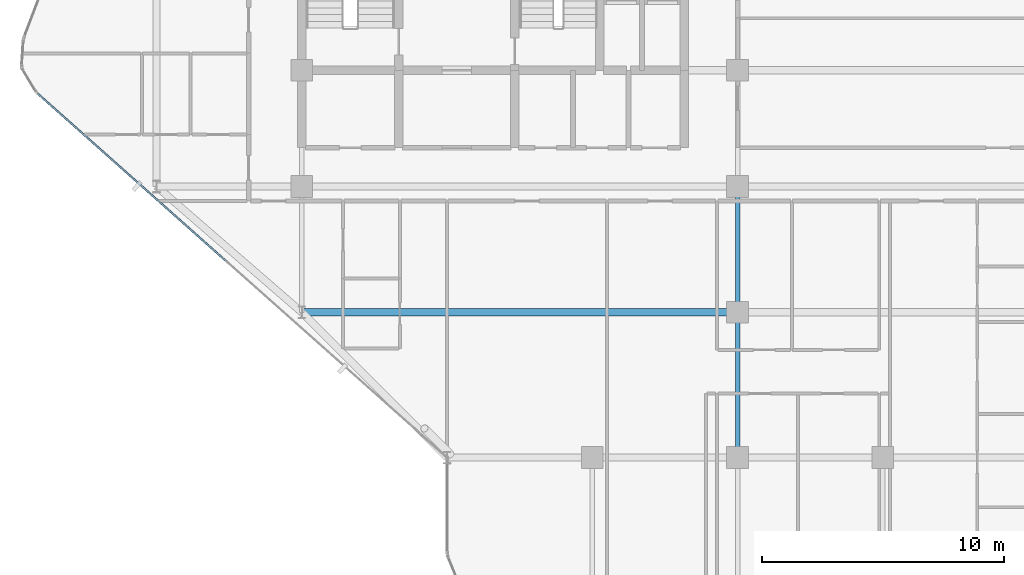
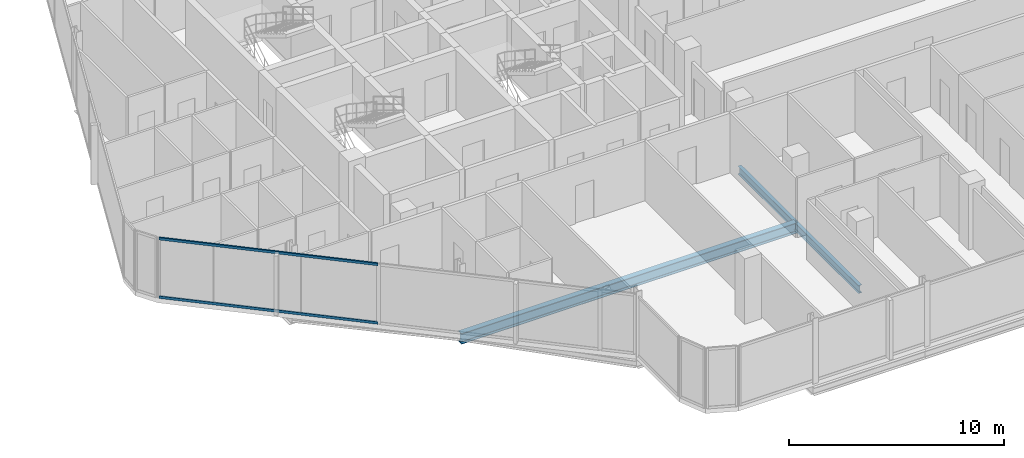
# One storey, part 6 of 31: 3 beams, 2 members, 1 element without a shape of its own.
"""IFC4 building model written with IfcOpenShell, lengths in metres."""

from ifc_helpers import new_model, si_unit, direction, frame, origin, origin_2d, place, context, subcontext, project, spatial, hollow_rectangle, i_section, extrude, material, layer, layer_set, material_profile, profile_set, type_object, element, aggregate, save


model = new_model("IFC4")

# Units and contexts
model_context = context("Model", 3, precision=1e-05, world=origin(), true_north=direction((0.0, 1.0)))
body_context = subcontext(model_context, "Body", "Model", "MODEL_VIEW")
ifc_project = project(units=[si_unit("LENGTHUNIT", "METRE"), si_unit("AREAUNIT", "SQUARE_METRE"), si_unit("VOLUMEUNIT", "CUBIC_METRE"), si_unit("PLANEANGLEUNIT", "RADIAN"), si_unit("MASSUNIT", "GRAM", prefix="KILO")], contexts=[model_context])

# Site, building, storey
site_placement = place(None, origin())
site = spatial("IfcSite", under=ifc_project, at=site_placement, CompositionType="ELEMENT")
building_placement = place(site_placement, origin())
building = spatial("IfcBuilding", under=site, at=building_placement, Name="Keshet Zoharim Tower", CompositionType="ELEMENT")
storey_placement = place(building_placement, frame((0.0, 0.0, 133.5)))
storey = spatial("IfcBuildingStorey", under=building, at=storey_placement, Name="L32", CompositionType="ELEMENT", Elevation=133.5)

# Beams
ifc_material_1 = material(Name="Steel S355", Category="steel")
ifc_material_profile_1 = material_profile(ifc_material_1, i_section(OverallWidth=0.300048828125, OverallDepth=0.60009765625, WebThickness=0.015380859375, FlangeThickness=0.030029296875, FilletRadius=0.027099609375, at=origin_2d()), Name="HEB600")
ifc_profile_set_1 = profile_set([ifc_material_profile_1], Name="Steel S355")
beam_type_1 = type_object("IfcBeamType", Name="BM-LNG-HB600", PredefinedType="BEAM", material=ifc_profile_set_1)
beam_1_placement = place(storey_placement, frame((15.0, 12.699951171875, -0.614990234375), z_axis=(1.0, 0.0, 0.0), x_axis=(0.0, 1.0, 0.0)))
element("IfcBeam", 1, at=beam_1_placement, inside=storey, type_object=beam_type_1, Name="L32 Primary Girder X-009", PredefinedType="BEAM", context=body_context, shape_type="SweptSolid", body=[
    extrude(i_section(OverallWidth=0.300048828125, OverallDepth=0.60009765625, WebThickness=0.015380859375, FlangeThickness=0.030029296875, FilletRadius=0.027099609375, at=origin_2d()), origin(), (0.0, 0.0, 1.0), 18.0),
])
ifc_material_profile_2 = material_profile(ifc_material_1, i_section(OverallWidth=0.18994140625, OverallDepth=0.449951171875, WebThickness=0.009521484375, FlangeThickness=0.0146484375, FilletRadius=0.02099609375, at=origin_2d()), Name="IPE450")
ifc_profile_set_2 = profile_set([ifc_material_profile_2], Name="Steel S355")
beam_type_2 = type_object("IfcBeamType", Name="BM-PRI-IP450", PredefinedType="BEAM", material=ifc_profile_set_2)
beam_2_placement = place(storey_placement, frame((33.0, 6.699951171875, -0.5400390625), z_axis=(0.0, 1.0, 0.0), x_axis=(-1.0, 0.0, 0.0)))
element("IfcBeam", 2, at=beam_2_placement, inside=storey, type_object=beam_type_2, Name="L32 Primary Girder Y-006", PredefinedType="BEAM", context=body_context, shape_type="SweptSolid", body=[
    extrude(i_section(OverallWidth=0.18994140625, OverallDepth=0.449951171875, WebThickness=0.009521484375, FlangeThickness=0.0146484375, FilletRadius=0.02099609375, at=origin_2d()), origin(), (0.0, 0.0, 1.0), 6.0),
])
beam_3_placement = place(storey_placement, frame((33.0, 12.699951171875, -0.5400390625), z_axis=(0.0, 1.0, 0.0), x_axis=(-1.0, 0.0, 0.0)))
element("IfcBeam", 3, at=beam_3_placement, inside=storey, type_object=beam_type_2, Name="L32 Primary Girder Y-007", PredefinedType="BEAM", context=body_context, shape_type="SweptSolid", body=[
    extrude(i_section(OverallWidth=0.18994140625, OverallDepth=0.449951171875, WebThickness=0.009521484375, FlangeThickness=0.0146484375, FilletRadius=0.02099609375, at=origin_2d()), origin(), (0.0, 0.0, 1.0), 5.199951171875),
])

# Curtain wall, members
ifc_material_2 = material(Name="Aluminium 6063-T6", Category="aluminium")
ifc_layer = layer(ifc_material_2, 0.159912109375)
ifc_layer_set = layer_set([ifc_layer], Name="Aluminium 6063-T6")
curtain_wall_type = type_object("IfcCurtainWallType", Name="CW-SYS-03", PredefinedType="NOTDEFINED", material=ifc_layer_set)
curtain_wall_placement = place(storey_placement, origin())
curtain_wall = element("IfcCurtainWall", 4, at=curtain_wall_placement, inside=storey, type_object=curtain_wall_type, Name="L32 Unitised Curtain Wall 07 Part 2", PredefinedType="NOTDEFINED")
ifc_material_profile_3 = material_profile(ifc_material_2, hollow_rectangle(XDim=0.080078125, YDim=0.139892578125, WallThickness=0.00390625, at=origin_2d()), Name="TRN-80x140")
ifc_profile_set_3 = profile_set([ifc_material_profile_3], Name="Aluminium 6063-T6")
member_type = type_object("IfcMemberType", Name="CWT-T14", PredefinedType="USERDEFINED", material=ifc_profile_set_3)
member_1_placement = place(storey_placement, frame((11.8388671875, 14.84326171875, 0.034912109375), z_axis=(-0.747411916254, 0.664360916552, 0.0), x_axis=(-0.664360916552, -0.747411916254, 0.0)))
member_1 = element("IfcMember", 5, at=member_1_placement, type_object=member_type, Name="CW-03 transom 2.1", ObjectType="TRANSOM", PredefinedType="USERDEFINED", context=body_context, shape_type="SweptSolid", body=[
    extrude(hollow_rectangle(XDim=0.080078125, YDim=0.139892578125, WallThickness=0.00390625, at=origin_2d()), origin(), (0.0, 0.0, 1.0), 10.37109375),
])
member_2_placement = place(storey_placement, frame((11.8388671875, 14.84326171875, 3.35009765625), z_axis=(-0.747411916254, 0.664360916552, 0.0), x_axis=(-0.664360916552, -0.747411916254, 0.0)))
member_2 = element("IfcMember", 6, at=member_2_placement, type_object=member_type, Name="CW-03 transom 2.2", ObjectType="TRANSOM", PredefinedType="USERDEFINED", context=body_context, shape_type="SweptSolid", body=[
    extrude(hollow_rectangle(XDim=0.080078125, YDim=0.139892578125, WallThickness=0.00390625, at=origin_2d()), origin(), (0.0, 0.0, 1.0), 10.37109375),
])
aggregate(curtain_wall, [member_1, member_2])

save(model, "model.ifc")
